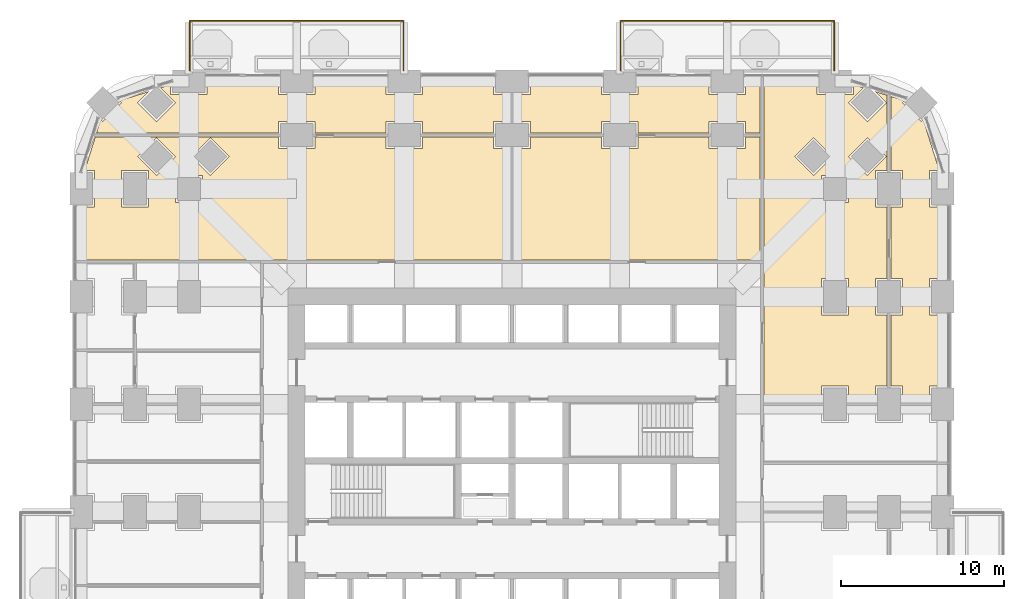
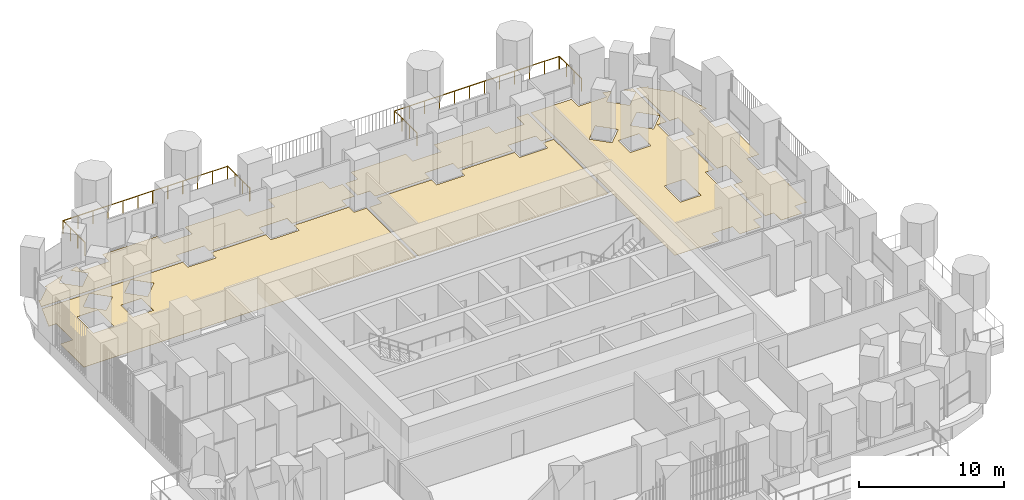
# One storey, part 24 of 25: 6 coverings, 2 railings.
"""IFC4 building model written with IfcOpenShell, lengths in metres."""

from ifc_helpers import new_model, si_unit, direction, frame, origin, place, context, subcontext, project, spatial, polyline, outline, extrude, material, layer, layer_set, type_object, element, save


model = new_model("IFC4")

# Units and contexts
model_context = context("Model", 3, precision=1e-05, world=origin(), true_north=direction((0.0, 1.0)))
body_context = subcontext(model_context, "Body", "Model", "MODEL_VIEW")
ifc_project = project(units=[si_unit("LENGTHUNIT", "METRE"), si_unit("AREAUNIT", "SQUARE_METRE"), si_unit("VOLUMEUNIT", "CUBIC_METRE"), si_unit("PLANEANGLEUNIT", "RADIAN"), si_unit("MASSUNIT", "GRAM", prefix="KILO")], contexts=[model_context])

# Site, building, storey
site_placement = place(None, origin())
site = spatial("IfcSite", under=ifc_project, at=site_placement, CompositionType="ELEMENT")
building_placement = place(site_placement, origin())
building = spatial("IfcBuilding", under=site, at=building_placement, Name="Cobogo Forest Laboratory Tower", CompositionType="ELEMENT")
storey_placement = place(building_placement, frame((0.0, 0.0, 21.300048828125)))
storey = spatial("IfcBuildingStorey", under=building, at=storey_placement, Name="L04", CompositionType="ELEMENT", Elevation=21.300048828125)

# Railings
ifc_material_1 = material(Name="Laminated glass balustrade", Category="glass")
railing_type = type_object("IfcRailingType", Name="BG1 glass balustrade 1100", PredefinedType="GUARDRAIL", material=ifc_material_1)
railing_1_placement = place(storey_placement, frame((6.64990234375, 46.85009765625, 0.0)))
element("IfcRailing", 1, at=railing_1_placement, inside=storey, type_object=railing_type, Name="Balcony balustrade BAL-N1 L04", PredefinedType="GUARDRAIL", context=body_context, shape_type="SweptSolid", body=[
    extrude(outline(polyline([(0.022216796875, 0.00927734375), (0.00927734375, 0.022216796875), (-0.00927734375, 0.022216796875), (-0.022216796875, 0.00927734375), (-0.022216796875, -0.00927734375), (-0.00927734375, -0.022216796875), (0.00927734375, -0.022216796875), (0.022216796875, -0.00927734375), (0.022216796875, 0.00927734375)])), frame((0.0, 0.0, 1.077880859375), z_axis=(0.0, 1.0, 0.0), x_axis=(-1.0, 0.0, 0.0)), (0.0, 0.0, 1.0), 3.0498046875),
    extrude(outline(polyline([(0.022216796875, 0.00927734375), (0.00927734375, 0.022216796875), (-0.00927734375, 0.022216796875), (-0.022216796875, 0.00927734375), (-0.022216796875, -0.00927734375), (-0.00927734375, -0.022216796875), (0.00927734375, -0.022216796875), (0.022216796875, -0.00927734375), (0.022216796875, 0.00927734375)])), frame((0.0, 3.0498046875, 1.077880859375), z_axis=(1.0, 0.0, 0.0), x_axis=(0.0, 1.0, 0.0)), (0.0, 0.0, 1.0), 13.10009765625),
    extrude(outline(polyline([(0.022216796875, 0.00927734375), (0.00927734375, 0.022216796875), (-0.00927734375, 0.022216796875), (-0.022216796875, 0.00927734375), (-0.022216796875, -0.00927734375), (-0.00927734375, -0.022216796875), (0.00927734375, -0.022216796875), (0.022216796875, -0.00927734375), (0.022216796875, 0.00927734375)])), frame((13.10009765625, 3.0498046875, 1.077880859375), z_axis=(0.0, -1.0, 0.0), x_axis=(1.0, 0.0, 0.0)), (0.0, 0.0, 1.0), 3.0498046875),
    extrude(outline(polyline([(0.019287109375, 0.008056640625), (0.008056640625, 0.019287109375), (-0.008056640625, 0.019287109375), (-0.019287109375, 0.008056640625), (-0.019287109375, -0.008056640625), (-0.008056640625, -0.019287109375), (0.008056640625, -0.019287109375), (0.019287109375, -0.008056640625), (0.019287109375, 0.008056640625)])), origin(), (0.0, 0.0, 1.0), 1.077880859375),
    extrude(outline(polyline([(0.019287109375, 0.008056640625), (0.008056640625, 0.019287109375), (-0.008056640625, 0.019287109375), (-0.019287109375, 0.008056640625), (-0.019287109375, -0.008056640625), (-0.008056640625, -0.019287109375), (0.008056640625, -0.019287109375), (0.019287109375, -0.008056640625), (0.019287109375, 0.008056640625)])), frame((0.0, 1.0166015625, 0.0)), (0.0, 0.0, 1.0), 1.077880859375),
    extrude(outline(polyline([(0.019287109375, 0.008056640625), (0.008056640625, 0.019287109375), (-0.008056640625, 0.019287109375), (-0.019287109375, 0.008056640625), (-0.019287109375, -0.008056640625), (-0.008056640625, -0.019287109375), (0.008056640625, -0.019287109375), (0.019287109375, -0.008056640625), (0.019287109375, 0.008056640625)])), frame((0.0, 2.033203125, 0.0)), (0.0, 0.0, 1.0), 1.077880859375),
    extrude(outline(polyline([(0.019287109375, 0.008056640625), (0.008056640625, 0.019287109375), (-0.008056640625, 0.019287109375), (-0.019287109375, 0.008056640625), (-0.019287109375, -0.008056640625), (-0.008056640625, -0.019287109375), (0.008056640625, -0.019287109375), (0.019287109375, -0.008056640625), (0.019287109375, 0.008056640625)])), frame((0.0, 3.0498046875, 0.0)), (0.0, 0.0, 1.0), 1.077880859375),
    extrude(outline(polyline([(0.019287109375, 0.008056640625), (0.008056640625, 0.019287109375), (-0.008056640625, 0.019287109375), (-0.019287109375, 0.008056640625), (-0.019287109375, -0.008056640625), (-0.008056640625, -0.019287109375), (0.008056640625, -0.019287109375), (0.019287109375, -0.008056640625), (0.019287109375, 0.008056640625)])), frame((1.19091796875, 3.0498046875, 0.0)), (0.0, 0.0, 1.0), 1.077880859375),
    extrude(outline(polyline([(0.019287109375, 0.008056640625), (0.008056640625, 0.019287109375), (-0.008056640625, 0.019287109375), (-0.019287109375, 0.008056640625), (-0.019287109375, -0.008056640625), (-0.008056640625, -0.019287109375), (0.008056640625, -0.019287109375), (0.019287109375, -0.008056640625), (0.019287109375, 0.008056640625)])), frame((2.3818359375, 3.0498046875, 0.0)), (0.0, 0.0, 1.0), 1.077880859375),
    extrude(outline(polyline([(0.019287109375, 0.008056640625), (0.008056640625, 0.019287109375), (-0.008056640625, 0.019287109375), (-0.019287109375, 0.008056640625), (-0.019287109375, -0.008056640625), (-0.008056640625, -0.019287109375), (0.008056640625, -0.019287109375), (0.019287109375, -0.008056640625), (0.019287109375, 0.008056640625)])), frame((3.57275390625, 3.0498046875, 0.0)), (0.0, 0.0, 1.0), 1.077880859375),
    extrude(outline(polyline([(0.019287109375, 0.008056640625), (0.008056640625, 0.019287109375), (-0.008056640625, 0.019287109375), (-0.019287109375, 0.008056640625), (-0.019287109375, -0.008056640625), (-0.008056640625, -0.019287109375), (0.008056640625, -0.019287109375), (0.019287109375, -0.008056640625), (0.019287109375, 0.008056640625)])), frame((4.763671875, 3.0498046875, 0.0)), (0.0, 0.0, 1.0), 1.077880859375),
    extrude(outline(polyline([(0.019287109375, 0.008056640625), (0.008056640625, 0.019287109375), (-0.008056640625, 0.019287109375), (-0.019287109375, 0.008056640625), (-0.019287109375, -0.008056640625), (-0.008056640625, -0.019287109375), (0.008056640625, -0.019287109375), (0.019287109375, -0.008056640625), (0.019287109375, 0.008056640625)])), frame((5.95458984375, 3.0498046875, 0.0)), (0.0, 0.0, 1.0), 1.077880859375),
    extrude(outline(polyline([(0.019287109375, 0.008056640625), (0.008056640625, 0.019287109375), (-0.008056640625, 0.019287109375), (-0.019287109375, 0.008056640625), (-0.019287109375, -0.008056640625), (-0.008056640625, -0.019287109375), (0.008056640625, -0.019287109375), (0.019287109375, -0.008056640625), (0.019287109375, 0.008056640625)])), frame((7.1455078125, 3.0498046875, 0.0)), (0.0, 0.0, 1.0), 1.077880859375),
    extrude(outline(polyline([(0.019287109375, 0.008056640625), (0.008056640625, 0.019287109375), (-0.008056640625, 0.019287109375), (-0.019287109375, 0.008056640625), (-0.019287109375, -0.008056640625), (-0.008056640625, -0.019287109375), (0.008056640625, -0.019287109375), (0.019287109375, -0.008056640625), (0.019287109375, 0.008056640625)])), frame((8.33642578125, 3.0498046875, 0.0)), (0.0, 0.0, 1.0), 1.077880859375),
    extrude(outline(polyline([(0.019287109375, 0.008056640625), (0.008056640625, 0.019287109375), (-0.008056640625, 0.019287109375), (-0.019287109375, 0.008056640625), (-0.019287109375, -0.008056640625), (-0.008056640625, -0.019287109375), (0.008056640625, -0.019287109375), (0.019287109375, -0.008056640625), (0.019287109375, 0.008056640625)])), frame((9.52734375, 3.0498046875, 0.0)), (0.0, 0.0, 1.0), 1.077880859375),
    extrude(outline(polyline([(0.019287109375, 0.008056640625), (0.008056640625, 0.019287109375), (-0.008056640625, 0.019287109375), (-0.019287109375, 0.008056640625), (-0.019287109375, -0.008056640625), (-0.008056640625, -0.019287109375), (0.008056640625, -0.019287109375), (0.019287109375, -0.008056640625), (0.019287109375, 0.008056640625)])), frame((10.71826171875, 3.0498046875, 0.0)), (0.0, 0.0, 1.0), 1.077880859375),
    extrude(outline(polyline([(0.019287109375, 0.008056640625), (0.008056640625, 0.019287109375), (-0.008056640625, 0.019287109375), (-0.019287109375, 0.008056640625), (-0.019287109375, -0.008056640625), (-0.008056640625, -0.019287109375), (0.008056640625, -0.019287109375), (0.019287109375, -0.008056640625), (0.019287109375, 0.008056640625)])), frame((11.9091796875, 3.0498046875, 0.0)), (0.0, 0.0, 1.0), 1.077880859375),
    extrude(outline(polyline([(0.019287109375, 0.008056640625), (0.008056640625, 0.019287109375), (-0.008056640625, 0.019287109375), (-0.019287109375, 0.008056640625), (-0.019287109375, -0.008056640625), (-0.008056640625, -0.019287109375), (0.008056640625, -0.019287109375), (0.019287109375, -0.008056640625), (0.019287109375, 0.008056640625)])), frame((13.10009765625, 3.0498046875, 0.0)), (0.0, 0.0, 1.0), 1.077880859375),
    extrude(outline(polyline([(0.019287109375, 0.008056640625), (0.008056640625, 0.019287109375), (-0.008056640625, 0.019287109375), (-0.019287109375, 0.008056640625), (-0.019287109375, -0.008056640625), (-0.008056640625, -0.019287109375), (0.008056640625, -0.019287109375), (0.019287109375, -0.008056640625), (0.019287109375, 0.008056640625)])), frame((13.10009765625, 2.033203125, 0.0)), (0.0, 0.0, 1.0), 1.077880859375),
    extrude(outline(polyline([(0.019287109375, 0.008056640625), (0.008056640625, 0.019287109375), (-0.008056640625, 0.019287109375), (-0.019287109375, 0.008056640625), (-0.019287109375, -0.008056640625), (-0.008056640625, -0.019287109375), (0.008056640625, -0.019287109375), (0.019287109375, -0.008056640625), (0.019287109375, 0.008056640625)])), frame((13.10009765625, 1.0166015625, 0.0)), (0.0, 0.0, 1.0), 1.077880859375),
    extrude(outline(polyline([(0.019287109375, 0.008056640625), (0.008056640625, 0.019287109375), (-0.008056640625, 0.019287109375), (-0.019287109375, 0.008056640625), (-0.019287109375, -0.008056640625), (-0.008056640625, -0.019287109375), (0.008056640625, -0.019287109375), (0.019287109375, -0.008056640625), (0.019287109375, 0.008056640625)])), frame((13.10009765625, 0.0, 0.0)), (0.0, 0.0, 1.0), 1.077880859375),
])
railing_2_placement = place(storey_placement, frame((33.050048828125, 46.85009765625, 0.0)))
element("IfcRailing", 2, at=railing_2_placement, inside=storey, type_object=railing_type, Name="Balcony balustrade BAL-N2 L04", PredefinedType="GUARDRAIL", context=body_context, shape_type="SweptSolid", body=[
    extrude(outline(polyline([(0.022216796875, 0.00927734375), (0.00927734375, 0.022216796875), (-0.00927734375, 0.022216796875), (-0.022216796875, 0.00927734375), (-0.022216796875, -0.00927734375), (-0.00927734375, -0.022216796875), (0.00927734375, -0.022216796875), (0.022216796875, -0.00927734375), (0.022216796875, 0.00927734375)])), frame((0.0, 0.0, 1.077880859375), z_axis=(0.0, 1.0, 0.0), x_axis=(-1.0, 0.0, 0.0)), (0.0, 0.0, 1.0), 3.0498046875),
    extrude(outline(polyline([(0.022216796875, 0.00927734375), (0.00927734375, 0.022216796875), (-0.00927734375, 0.022216796875), (-0.022216796875, 0.00927734375), (-0.022216796875, -0.00927734375), (-0.00927734375, -0.022216796875), (0.00927734375, -0.022216796875), (0.022216796875, -0.00927734375), (0.022216796875, 0.00927734375)])), frame((0.0, 3.0498046875, 1.077880859375), z_axis=(1.0, 0.0, 0.0), x_axis=(0.0, 1.0, 0.0)), (0.0, 0.0, 1.0), 13.099853515625),
    extrude(outline(polyline([(0.022216796875, 0.00927734375), (0.00927734375, 0.022216796875), (-0.00927734375, 0.022216796875), (-0.022216796875, 0.00927734375), (-0.022216796875, -0.00927734375), (-0.00927734375, -0.022216796875), (0.00927734375, -0.022216796875), (0.022216796875, -0.00927734375), (0.022216796875, 0.00927734375)])), frame((13.099853515625, 3.0498046875, 1.077880859375), z_axis=(0.0, -1.0, 0.0), x_axis=(1.0, 0.0, 0.0)), (0.0, 0.0, 1.0), 3.0498046875),
    extrude(outline(polyline([(0.019287109375, 0.008056640625), (0.008056640625, 0.019287109375), (-0.008056640625, 0.019287109375), (-0.019287109375, 0.008056640625), (-0.019287109375, -0.008056640625), (-0.008056640625, -0.019287109375), (0.008056640625, -0.019287109375), (0.019287109375, -0.008056640625), (0.019287109375, 0.008056640625)])), origin(), (0.0, 0.0, 1.0), 1.077880859375),
    extrude(outline(polyline([(0.019287109375, 0.008056640625), (0.008056640625, 0.019287109375), (-0.008056640625, 0.019287109375), (-0.019287109375, 0.008056640625), (-0.019287109375, -0.008056640625), (-0.008056640625, -0.019287109375), (0.008056640625, -0.019287109375), (0.019287109375, -0.008056640625), (0.019287109375, 0.008056640625)])), frame((0.0, 1.0166015625, 0.0)), (0.0, 0.0, 1.0), 1.077880859375),
    extrude(outline(polyline([(0.019287109375, 0.008056640625), (0.008056640625, 0.019287109375), (-0.008056640625, 0.019287109375), (-0.019287109375, 0.008056640625), (-0.019287109375, -0.008056640625), (-0.008056640625, -0.019287109375), (0.008056640625, -0.019287109375), (0.019287109375, -0.008056640625), (0.019287109375, 0.008056640625)])), frame((0.0, 2.033203125, 0.0)), (0.0, 0.0, 1.0), 1.077880859375),
    extrude(outline(polyline([(0.019287109375, 0.008056640625), (0.008056640625, 0.019287109375), (-0.008056640625, 0.019287109375), (-0.019287109375, 0.008056640625), (-0.019287109375, -0.008056640625), (-0.008056640625, -0.019287109375), (0.008056640625, -0.019287109375), (0.019287109375, -0.008056640625), (0.019287109375, 0.008056640625)])), frame((0.0, 3.0498046875, 0.0)), (0.0, 0.0, 1.0), 1.077880859375),
    extrude(outline(polyline([(0.019287109375, 0.008056640625), (0.008056640625, 0.019287109375), (-0.008056640625, 0.019287109375), (-0.019287109375, 0.008056640625), (-0.019287109375, -0.008056640625), (-0.008056640625, -0.019287109375), (0.008056640625, -0.019287109375), (0.019287109375, -0.008056640625), (0.019287109375, 0.008056640625)])), frame((1.19091796875, 3.0498046875, 0.0)), (0.0, 0.0, 1.0), 1.077880859375),
    extrude(outline(polyline([(0.019287109375, 0.008056640625), (0.008056640625, 0.019287109375), (-0.008056640625, 0.019287109375), (-0.019287109375, 0.008056640625), (-0.019287109375, -0.008056640625), (-0.008056640625, -0.019287109375), (0.008056640625, -0.019287109375), (0.019287109375, -0.008056640625), (0.019287109375, 0.008056640625)])), frame((2.3818359375, 3.0498046875, 0.0)), (0.0, 0.0, 1.0), 1.077880859375),
    extrude(outline(polyline([(0.019287109375, 0.008056640625), (0.008056640625, 0.019287109375), (-0.008056640625, 0.019287109375), (-0.019287109375, 0.008056640625), (-0.019287109375, -0.008056640625), (-0.008056640625, -0.019287109375), (0.008056640625, -0.019287109375), (0.019287109375, -0.008056640625), (0.019287109375, 0.008056640625)])), frame((3.57275390625, 3.0498046875, 0.0)), (0.0, 0.0, 1.0), 1.077880859375),
    extrude(outline(polyline([(0.019287109375, 0.008056640625), (0.008056640625, 0.019287109375), (-0.008056640625, 0.019287109375), (-0.019287109375, 0.008056640625), (-0.019287109375, -0.008056640625), (-0.008056640625, -0.019287109375), (0.008056640625, -0.019287109375), (0.019287109375, -0.008056640625), (0.019287109375, 0.008056640625)])), frame((4.763671875, 3.0498046875, 0.0)), (0.0, 0.0, 1.0), 1.077880859375),
    extrude(outline(polyline([(0.019287109375, 0.008056640625), (0.008056640625, 0.019287109375), (-0.008056640625, 0.019287109375), (-0.019287109375, 0.008056640625), (-0.019287109375, -0.008056640625), (-0.008056640625, -0.019287109375), (0.008056640625, -0.019287109375), (0.019287109375, -0.008056640625), (0.019287109375, 0.008056640625)])), frame((5.95458984375, 3.0498046875, 0.0)), (0.0, 0.0, 1.0), 1.077880859375),
    extrude(outline(polyline([(0.019287109375, 0.008056640625), (0.008056640625, 0.019287109375), (-0.008056640625, 0.019287109375), (-0.019287109375, 0.008056640625), (-0.019287109375, -0.008056640625), (-0.008056640625, -0.019287109375), (0.008056640625, -0.019287109375), (0.019287109375, -0.008056640625), (0.019287109375, 0.008056640625)])), frame((7.145263671875, 3.0498046875, 0.0)), (0.0, 0.0, 1.0), 1.077880859375),
    extrude(outline(polyline([(0.019287109375, 0.008056640625), (0.008056640625, 0.019287109375), (-0.008056640625, 0.019287109375), (-0.019287109375, 0.008056640625), (-0.019287109375, -0.008056640625), (-0.008056640625, -0.019287109375), (0.008056640625, -0.019287109375), (0.019287109375, -0.008056640625), (0.019287109375, 0.008056640625)])), frame((8.336181640625, 3.0498046875, 0.0)), (0.0, 0.0, 1.0), 1.077880859375),
    extrude(outline(polyline([(0.019287109375, 0.008056640625), (0.008056640625, 0.019287109375), (-0.008056640625, 0.019287109375), (-0.019287109375, 0.008056640625), (-0.019287109375, -0.008056640625), (-0.008056640625, -0.019287109375), (0.008056640625, -0.019287109375), (0.019287109375, -0.008056640625), (0.019287109375, 0.008056640625)])), frame((9.527099609375, 3.0498046875, 0.0)), (0.0, 0.0, 1.0), 1.077880859375),
    extrude(outline(polyline([(0.019287109375, 0.008056640625), (0.008056640625, 0.019287109375), (-0.008056640625, 0.019287109375), (-0.019287109375, 0.008056640625), (-0.019287109375, -0.008056640625), (-0.008056640625, -0.019287109375), (0.008056640625, -0.019287109375), (0.019287109375, -0.008056640625), (0.019287109375, 0.008056640625)])), frame((10.718017578125, 3.0498046875, 0.0)), (0.0, 0.0, 1.0), 1.077880859375),
    extrude(outline(polyline([(0.019287109375, 0.008056640625), (0.008056640625, 0.019287109375), (-0.008056640625, 0.019287109375), (-0.019287109375, 0.008056640625), (-0.019287109375, -0.008056640625), (-0.008056640625, -0.019287109375), (0.008056640625, -0.019287109375), (0.019287109375, -0.008056640625), (0.019287109375, 0.008056640625)])), frame((11.908935546875, 3.0498046875, 0.0)), (0.0, 0.0, 1.0), 1.077880859375),
    extrude(outline(polyline([(0.019287109375, 0.008056640625), (0.008056640625, 0.019287109375), (-0.008056640625, 0.019287109375), (-0.019287109375, 0.008056640625), (-0.019287109375, -0.008056640625), (-0.008056640625, -0.019287109375), (0.008056640625, -0.019287109375), (0.019287109375, -0.008056640625), (0.019287109375, 0.008056640625)])), frame((13.099853515625, 3.0498046875, 0.0)), (0.0, 0.0, 1.0), 1.077880859375),
    extrude(outline(polyline([(0.019287109375, 0.008056640625), (0.008056640625, 0.019287109375), (-0.008056640625, 0.019287109375), (-0.019287109375, 0.008056640625), (-0.019287109375, -0.008056640625), (-0.008056640625, -0.019287109375), (0.008056640625, -0.019287109375), (0.019287109375, -0.008056640625), (0.019287109375, 0.008056640625)])), frame((13.099853515625, 2.033203125, 0.0)), (0.0, 0.0, 1.0), 1.077880859375),
    extrude(outline(polyline([(0.019287109375, 0.008056640625), (0.008056640625, 0.019287109375), (-0.008056640625, 0.019287109375), (-0.019287109375, 0.008056640625), (-0.019287109375, -0.008056640625), (-0.008056640625, -0.019287109375), (0.008056640625, -0.019287109375), (0.019287109375, -0.008056640625), (0.019287109375, 0.008056640625)])), frame((13.099853515625, 1.0166015625, 0.0)), (0.0, 0.0, 1.0), 1.077880859375),
    extrude(outline(polyline([(0.019287109375, 0.008056640625), (0.008056640625, 0.019287109375), (-0.008056640625, 0.019287109375), (-0.019287109375, 0.008056640625), (-0.019287109375, -0.008056640625), (-0.008056640625, -0.019287109375), (0.008056640625, -0.019287109375), (0.019287109375, -0.008056640625), (0.019287109375, 0.008056640625)])), frame((13.099853515625, 0.0, 0.0)), (0.0, 0.0, 1.0), 1.077880859375),
])

# Coverings
ifc_material_2 = material(Name="Carpet tile on raised access floor", Category="flooring")
ifc_layer_1 = layer(ifc_material_2, 0.008056640625)
ifc_layer_set_1 = layer_set([ifc_layer_1], Name="CT1 carpet tile floor 8")
covering_type_1 = type_object("IfcCoveringType", Name="CT1 carpet tile floor 8", PredefinedType="FLOORING", material=ifc_layer_set_1)
covering_1_placement = place(storey_placement, origin())
element("IfcCovering", 3, at=covering_1_placement, inside=storey, type_object=covering_type_1, Name="Carpet floor L04-14", PredefinedType="FLOORING", context=body_context, shape_type="SweptSolid", body=[
    extrude(outline(polyline([(49.6201171875, 31.8798828125), (50.320068359375, 31.8798828125), (50.320068359375, 34.1201171875), (49.6201171875, 34.1201171875), (49.6201171875, 38.47998046875), (50.320068359375, 38.47998046875), (50.320068359375, 40.719970703125), (49.6201171875, 40.719970703125), (49.6201171875, 45.26025390625), (50.441162109375, 45.0009765625), (50.322265625, 44.882080078125), (51.48193359375, 43.722412109375), (51.600830078125, 43.84130859375), (52.586669921875, 40.719970703125), (51.97998046875, 40.719970703125), (51.97998046875, 38.47998046875), (52.949951171875, 38.47998046875), (52.949951171875, 34.1201171875), (51.97998046875, 34.1201171875), (51.97998046875, 31.8798828125), (52.949951171875, 31.8798828125), (52.949951171875, 27.52001953125), (51.97998046875, 27.52001953125), (51.97998046875, 26.52001953125), (50.320068359375, 26.52001953125), (50.320068359375, 27.52001953125), (49.6201171875, 27.52001953125), (49.6201171875, 31.8798828125)])), origin(), (0.0, 0.0, 1.0), 0.008056640625),
])
covering_2_placement = place(storey_placement, origin())
element("IfcCovering", 4, at=covering_2_placement, inside=storey, type_object=covering_type_1, Name="Carpet floor L04-16", PredefinedType="FLOORING", context=body_context, shape_type="SweptSolid", body=[
    extrude(outline(polyline([(20.919921875, 43.02001953125), (20.919921875, 43.719970703125), (18.679931640625, 43.719970703125), (18.679931640625, 43.02001953125), (14.320068359375, 43.02001953125), (14.320068359375, 43.719970703125), (12.080078125, 43.719970703125), (12.080078125, 43.02001953125), (0.939697265625, 43.02001953125), (1.19921875, 43.84130859375), (1.318115234375, 43.722412109375), (2.477783203125, 44.882080078125), (2.358642578125, 45.0009765625), (4.1396484375, 45.563232421875), (3.458251953125, 44.882080078125), (4.617919921875, 43.722412109375), (5.777587890625, 44.882080078125), (4.86669921875, 45.79296875), (5.47998046875, 45.986572265625), (5.47998046875, 45.3798828125), (7.719970703125, 45.3798828125), (7.719970703125, 46.35009765625), (12.080078125, 46.35009765625), (12.080078125, 45.3798828125), (14.320068359375, 45.3798828125), (14.320068359375, 46.35009765625), (18.679931640625, 46.35009765625), (18.679931640625, 45.3798828125), (20.919921875, 45.3798828125), (20.919921875, 46.35009765625), (25.280029296875, 46.35009765625), (25.280029296875, 45.3798828125), (26.280029296875, 45.3798828125), (26.280029296875, 43.719970703125), (25.280029296875, 43.719970703125), (25.280029296875, 43.02001953125), (20.919921875, 43.02001953125)])), origin(), (0.0, 0.0, 1.0), 0.008056640625),
])
covering_3_placement = place(storey_placement, origin())
element("IfcCovering", 5, at=covering_3_placement, inside=storey, type_object=covering_type_1, Name="Carpet floor L04-18", PredefinedType="FLOORING", context=body_context, shape_type="SweptSolid", body=[
    extrude(outline(polyline([(40.719970703125, 43.02001953125), (40.719970703125, 43.719970703125), (38.47998046875, 43.719970703125), (38.47998046875, 43.02001953125), (34.1201171875, 43.02001953125), (34.1201171875, 43.719970703125), (31.8798828125, 43.719970703125), (31.8798828125, 43.02001953125), (27.52001953125, 43.02001953125), (27.52001953125, 43.719970703125), (26.52001953125, 43.719970703125), (26.52001953125, 45.3798828125), (27.52001953125, 45.3798828125), (27.52001953125, 46.35009765625), (31.8798828125, 46.35009765625), (31.8798828125, 45.3798828125), (34.1201171875, 45.3798828125), (34.1201171875, 46.35009765625), (38.47998046875, 46.35009765625), (38.47998046875, 45.3798828125), (40.719970703125, 45.3798828125), (40.719970703125, 46.35009765625), (41.60498046875, 46.35009765625), (41.60498046875, 43.02001953125), (40.719970703125, 43.02001953125)])), origin(), (0.0, 0.0, 1.0), 0.008056640625),
])
ifc_material_3 = material(Name="Epoxy resin flooring", Category="flooring")
ifc_layer_2 = layer(ifc_material_3, 0.00390625)
ifc_layer_set_2 = layer_set([ifc_layer_2], Name="LF1 epoxy laboratory floor 4")
covering_type_2 = type_object("IfcCoveringType", Name="LF1 epoxy laboratory floor 4", PredefinedType="FLOORING", material=ifc_layer_set_2)
covering_4_placement = place(storey_placement, origin())
element("IfcCovering", 6, at=covering_4_placement, inside=storey, type_object=covering_type_2, Name="Epoxy laboratory floor L04-13", PredefinedType="FLOORING", context=body_context, shape_type="SweptSolid", body=[
    extrude(outline(polyline([(47.02001953125, 26.52001953125), (47.02001953125, 27.52001953125), (45.3798828125, 27.52001953125), (45.3798828125, 26.52001953125), (41.844970703125, 26.52001953125), (41.844970703125, 46.35009765625), (45.080078125, 46.35009765625), (45.080078125, 45.3798828125), (47.320068359375, 45.3798828125), (47.320068359375, 45.986572265625), (47.933349609375, 45.79296875), (47.022216796875, 44.882080078125), (48.181884765625, 43.722412109375), (49.341552734375, 44.882080078125), (48.660400390625, 45.563232421875), (49.3798828125, 45.3359375), (49.3798828125, 40.719970703125), (48.679931640625, 40.719970703125), (48.679931640625, 38.47998046875), (49.3798828125, 38.47998046875), (49.3798828125, 34.1201171875), (48.679931640625, 34.1201171875), (48.679931640625, 31.8798828125), (49.3798828125, 31.8798828125), (49.3798828125, 27.52001953125), (48.679931640625, 27.52001953125), (48.679931640625, 26.52001953125), (47.02001953125, 26.52001953125)]), holes=[polyline([(47.022216796875, 41.58203125), (48.181884765625, 40.42236328125), (49.341552734375, 41.58203125), (48.181884765625, 42.74169921875), (47.022216796875, 41.58203125)]), polyline([(45.3798828125, 31.8798828125), (47.02001953125, 31.8798828125), (47.02001953125, 34.1201171875), (45.3798828125, 34.1201171875), (45.3798828125, 31.8798828125)]), polyline([(47.02001953125, 40.419921875), (45.3798828125, 40.419921875), (45.3798828125, 38.780029296875), (47.02001953125, 38.780029296875), (47.02001953125, 40.419921875)]), polyline([(43.722412109375, 41.58203125), (44.882080078125, 40.42236328125), (46.041748046875, 41.58203125), (44.882080078125, 42.74169921875), (43.722412109375, 41.58203125)])]), origin(), (0.0, 0.0, 1.0), 0.00390625),
])
covering_5_placement = place(storey_placement, origin())
element("IfcCovering", 7, at=covering_5_placement, inside=storey, type_object=covering_type_2, Name="Epoxy laboratory floor L04-17", PredefinedType="FLOORING", context=body_context, shape_type="SweptSolid", body=[
    extrude(outline(polyline([(26.52001953125, 42.080078125), (27.52001953125, 42.080078125), (27.52001953125, 42.780029296875), (31.8798828125, 42.780029296875), (31.8798828125, 42.080078125), (34.1201171875, 42.080078125), (34.1201171875, 42.780029296875), (38.47998046875, 42.780029296875), (38.47998046875, 42.080078125), (40.719970703125, 42.080078125), (40.719970703125, 42.780029296875), (41.60498046875, 42.780029296875), (41.60498046875, 35.2451171875), (26.52001953125, 35.2451171875), (26.52001953125, 42.080078125)])), origin(), (0.0, 0.0, 1.0), 0.00390625),
])
ifc_material_4 = material(Name="Ceramic floor tile", Category="flooring")
ifc_layer_3 = layer(ifc_material_4, 0.010009765625)
ifc_layer_set_3 = layer_set([ifc_layer_3], Name="TF1 ceramic tile floor 10")
covering_type_3 = type_object("IfcCoveringType", Name="TF1 ceramic tile floor 10", PredefinedType="FLOORING", material=ifc_layer_set_3)
covering_6_placement = place(storey_placement, origin())
element("IfcCovering", 8, at=covering_6_placement, inside=storey, type_object=covering_type_3, Name="Tile floor L04-15", PredefinedType="FLOORING", context=body_context, shape_type="SweptSolid", body=[
    extrude(outline(polyline([(26.280029296875, 35.2451171875), (-0.14990234375, 35.2451171875), (-0.14990234375, 38.47998046875), (0.820068359375, 38.47998046875), (0.820068359375, 40.719970703125), (0.21337890625, 40.719970703125), (0.864013671875, 42.780029296875), (12.080078125, 42.780029296875), (12.080078125, 42.080078125), (14.320068359375, 42.080078125), (14.320068359375, 42.780029296875), (18.679931640625, 42.780029296875), (18.679931640625, 42.080078125), (20.919921875, 42.080078125), (20.919921875, 42.780029296875), (25.280029296875, 42.780029296875), (25.280029296875, 42.080078125), (26.280029296875, 42.080078125), (26.280029296875, 35.2451171875)]), holes=[polyline([(6.75830078125, 41.58203125), (7.91796875, 40.42236328125), (9.07763671875, 41.58203125), (7.91796875, 42.74169921875), (6.75830078125, 41.58203125)]), polyline([(5.780029296875, 40.419921875), (5.780029296875, 38.780029296875), (7.419921875, 38.780029296875), (7.419921875, 40.419921875), (5.780029296875, 40.419921875)]), polyline([(3.458251953125, 41.58203125), (4.617919921875, 40.42236328125), (5.777587890625, 41.58203125), (4.617919921875, 42.74169921875), (3.458251953125, 41.58203125)]), polyline([(2.47998046875, 38.47998046875), (4.1201171875, 38.47998046875), (4.1201171875, 40.719970703125), (2.47998046875, 40.719970703125), (2.47998046875, 38.47998046875)])]), origin(), (0.0, 0.0, 1.0), 0.010009765625),
])

save(model, "model.ifc")
